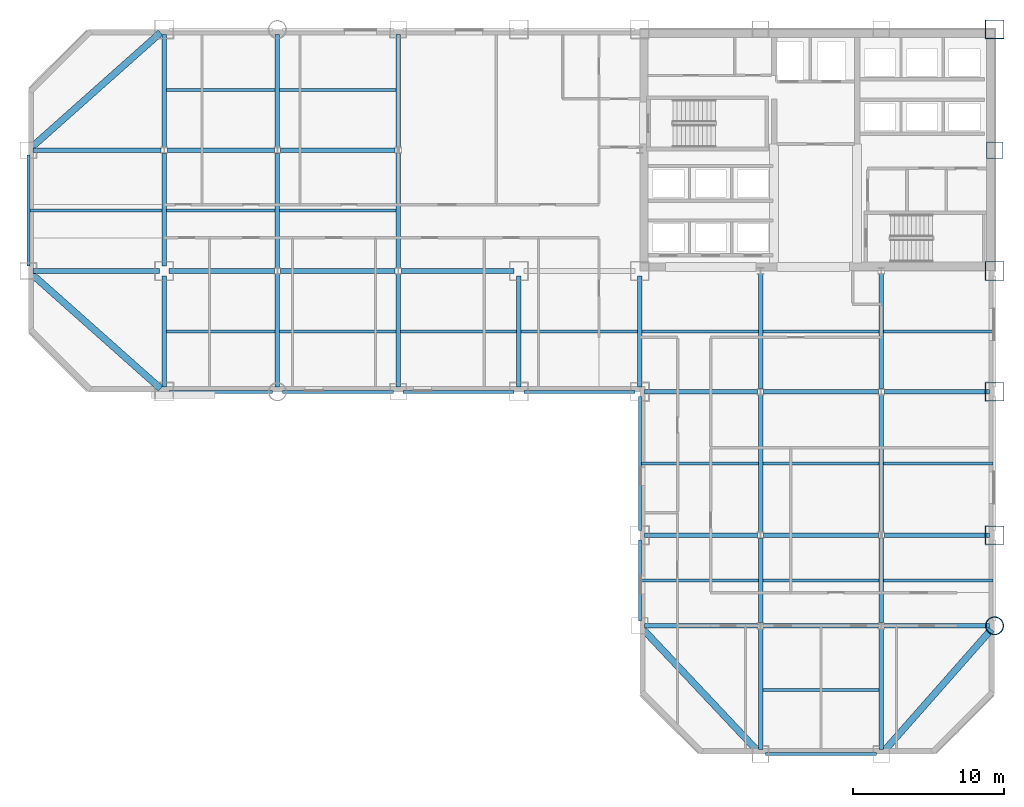
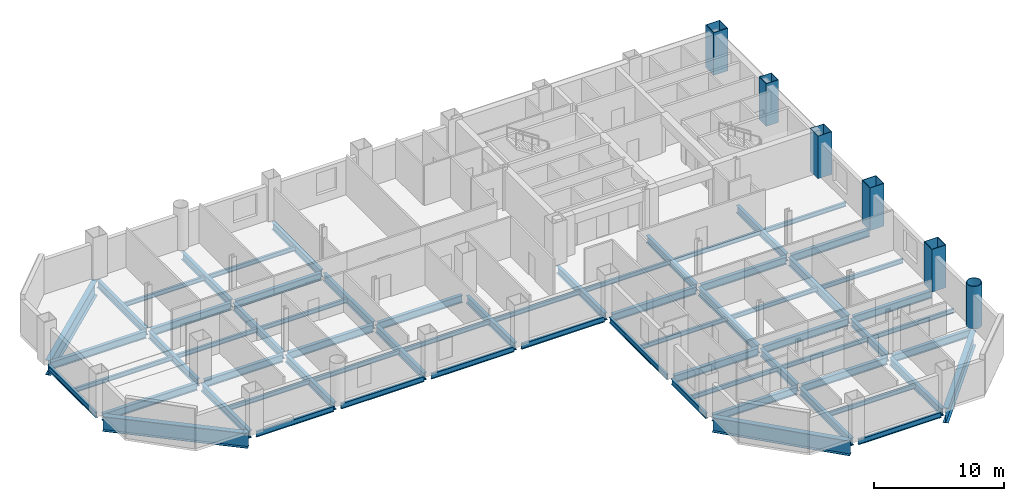
# One storey, part 3 of 9: 66 beams, 6 columns.
"""IFC4 building model written with IfcOpenShell, lengths in metres."""

import ifcopenshell
import ifcopenshell.guid

model = None  # the IFC model being written
_history = None  # IfcOwnerHistory: only IFC2X3 demands one
_inside = {}  # id of a spatial element -> (the spatial element, [elements in it])
_under = {}  # id of a project, library or spatial element -> (it, [spatial elements below it])
_declared = {}  # id of a project -> (the project, [libraries it declares])
_typed = {}  # id of a type object -> (the type object, [elements of that type])
_made_of = {}  # id of a material, layer set ... -> (it, [elements and type objects made of it])


def new_model(schema):
    """Start an empty IFC model of exactly this schema.

    Asked for "IFC4X3", IfcOpenShell would pick the latest addendum, in which some entities
    have other attributes; the version numbers below select the first issue.
    IFC2X3 requires an IfcOwnerHistory on every rooted entity: one is made here for all.
    """
    global model, _history
    if schema == "IFC4X3":
        model = ifcopenshell.file(schema_version=(4, 3, 0, 0))
    else:
        model = ifcopenshell.file(schema=schema)
    _inside.clear()
    _under.clear()
    _declared.clear()
    _typed.clear()
    _made_of.clear()
    _history = None
    if model.schema == "IFC2X3":
        org = make("IfcOrganization", Name="unknown")
        user = make(
            "IfcPersonAndOrganization",
            ThePerson=make("IfcPerson", FamilyName="unknown"),
            TheOrganization=org,
        )
        app = make(
            "IfcApplication",
            ApplicationDeveloper=org,
            Version="unknown",
            ApplicationFullName="unknown",
            ApplicationIdentifier="unknown",
        )
        _history = make(
            "IfcOwnerHistory",
            OwningUser=user,
            OwningApplication=app,
            ChangeAction="ADDED",
            CreationDate=0,
        )
    return model


def make(cls, **values):
    """One entity of the class cls with the attributes given. An attribute that is None is left unset."""
    return model.create_entity(
        cls, **{name: value for name, value in values.items() if value is not None}
    )


def rooted(cls, **values):
    """An entity with a GlobalId (a new one), such as an element, a storey or a relation."""
    return make(cls, GlobalId=ifcopenshell.guid.new(), OwnerHistory=_history, **values)


def si_unit(unit_type, name, prefix=None):
    """IfcSIUnit, for example si_unit("LENGTHUNIT", "METRE", prefix="MILLI")."""
    return make("IfcSIUnit", UnitType=unit_type, Prefix=prefix, Name=name)


def assignment(units):
    """IfcUnitAssignment: the units of a project."""
    return None if units is None else make("IfcUnitAssignment", Units=units)


def point(xyz):
    """IfcCartesianPoint."""
    return None if xyz is None else make("IfcCartesianPoint", Coordinates=xyz)


def direction(xyz):
    """IfcDirection."""
    return None if xyz is None else make("IfcDirection", DirectionRatios=xyz)


def frame(location, z_axis=None, x_axis=None):
    """IfcAxis2Placement3D, a coordinate frame: its origin and axes. An axis left out is left unset."""
    return make(
        "IfcAxis2Placement3D",
        Location=point(location),
        Axis=direction(z_axis),
        RefDirection=direction(x_axis),
    )


def frame_2d(location, x_axis=None):
    """IfcAxis2Placement2D, a coordinate frame in the plane: its origin and x axis."""
    return make(
        "IfcAxis2Placement2D", Location=point(location), RefDirection=direction(x_axis)
    )


def origin():
    """The frame at (0, 0, 0) with its axes left unset."""
    return frame((0.0, 0.0, 0.0))


def origin_2d():
    """The frame at (0, 0) in the plane with its x axis left unset."""
    return frame_2d((0.0, 0.0))


def place(relative_to, where):
    """IfcLocalPlacement: puts the frame where relative to a parent placement (None: the world)."""
    return make(
        "IfcLocalPlacement", PlacementRelTo=relative_to, RelativePlacement=where
    )


def context(
    kind, dimensions, precision=None, world=None, true_north=None, identifier=None
):
    """IfcGeometricRepresentationContext, for example the 3D "Model" context."""
    return make(
        "IfcGeometricRepresentationContext",
        ContextIdentifier=identifier,
        ContextType=kind,
        CoordinateSpaceDimension=dimensions,
        Precision=precision,
        WorldCoordinateSystem=world,
        TrueNorth=true_north,
    )


def subcontext(parent, identifier, kind, view, scale=None):
    """IfcGeometricRepresentationSubContext, for example "Body" below "Model"."""
    return make(
        "IfcGeometricRepresentationSubContext",
        ContextIdentifier=identifier,
        ContextType=kind,
        ParentContext=parent,
        TargetScale=scale,
        TargetView=view,
    )


def project(units=None, contexts=None):
    """IfcProject with its units and contexts."""
    return rooted(
        "IfcProject",
        Name="project",
        RepresentationContexts=contexts,
        UnitsInContext=assignment(units),
    )


def spatial(cls, under=None, at=None, **own):
    """A site, building, storey or space (cls), placed at a placement, below another one or the project."""
    s = rooted(cls, ObjectPlacement=at, **own)
    if under is not None:
        _under.setdefault(under.id(), (under, []))[1].append(s)
    return s


def profile(cls, at=None, kind="AREA", **sizes):
    """A parametric profile (cls). Its sizes go by their IFC names, for example OverallWidth=200.0."""
    return make(cls, ProfileType=kind, Position=at, **sizes)


def hollow_rectangle(**sizes):
    """IfcRectangleHollowProfileDef."""
    return profile("IfcRectangleHollowProfileDef", **sizes)


def hollow_circle(**sizes):
    """IfcCircleHollowProfileDef."""
    return profile("IfcCircleHollowProfileDef", **sizes)


def i_section(**sizes):
    """IfcIShapeProfileDef."""
    return profile("IfcIShapeProfileDef", **sizes)


def extrude(swept, where, along, depth):
    """IfcExtrudedAreaSolid: the profile swept, set in the frame where, extruded along a direction by depth."""
    return make(
        "IfcExtrudedAreaSolid",
        SweptArea=swept,
        Position=where,
        ExtrudedDirection=direction(along),
        Depth=depth,
    )


def shape(context_of_items, identifier, shape_type, items):
    """IfcShapeRepresentation: the items that make up one representation, for example the "Body"."""
    return make(
        "IfcShapeRepresentation",
        ContextOfItems=context_of_items,
        RepresentationIdentifier=identifier,
        RepresentationType=shape_type,
        Items=items,
    )


def material(Name=None, Category=None):
    """IfcMaterial."""
    return make("IfcMaterial", Name=Name, Category=Category)


def material_profile(
    of_material, cross_section, Name=None, Category=None, Priority=None
):
    """IfcMaterialProfile: a cross section and its material."""
    return make(
        "IfcMaterialProfile",
        Name=Name,
        Material=of_material,
        Profile=cross_section,
        Priority=Priority,
        Category=Category,
    )


def profile_set(profiles, Name=None, composite=None):
    """IfcMaterialProfileSet."""
    return make(
        "IfcMaterialProfileSet",
        Name=Name,
        MaterialProfiles=profiles,
        CompositeProfile=composite,
    )


def made_of(thing, what):
    """Note that an element or type object is made of a material, layer set ...; save() writes the relation."""
    if what is not None:
        _made_of.setdefault(what.id(), (what, []))[1].append(thing)
    return thing


def type_object(cls, material=None, **own):
    """A type object (cls), such as IfcWallType, which elements share."""
    return made_of(rooted(cls, **own), material)


def element(
    cls,
    number,
    at=None,
    inside=None,
    cuts=None,
    type_object=None,
    material=None,
    context=None,
    identifier="Body",
    shape_type=None,
    held_by="IfcProductDefinitionShape",
    body=None,
    shapes=None,
    **own,
):
    """One element of the class cls, such as IfcWall. Its Tag is "e" and its number.

    at: its placement. inside: the storey or other place that contains it. cuts: it is an
    opening in that element (IfcRelVoidsElement). A single representation is given by context,
    identifier, shape_type and body (its items); several are given by shapes. held_by: the class
    of the entity that holds the representations. save() writes the other relations.
    """
    e = rooted(cls, Tag="e%d" % number, ObjectPlacement=at, **own)
    if body is not None:
        shapes = [shape(context, identifier, shape_type, body)]
    if shapes is not None:
        e.Representation = make(held_by, Representations=shapes)
    if inside is not None:
        _inside.setdefault(inside.id(), (inside, []))[1].append(e)
    if cuts is not None:
        rooted(
            "IfcRelVoidsElement", RelatingBuildingElement=cuts, RelatedOpeningElement=e
        )
    if type_object is not None:
        _typed.setdefault(type_object.id(), (type_object, []))[1].append(e)
    return made_of(e, material)


def aggregate(whole, parts):
    """IfcRelAggregates: a whole, such as a stair, and the parts it consists of."""
    return rooted("IfcRelAggregates", RelatingObject=whole, RelatedObjects=parts)


def save(model, path):
    """Write the relations noted so far, then the file.

    IfcRelAggregates (storeys below a building ...), IfcRelContainedInSpatialStructure (elements
    in a storey), IfcRelDefinesByType, IfcRelAssociatesMaterial and IfcRelDeclares: one each for
    every whole, place, type object, material and project.
    """
    for whole, parts in _under.values():
        aggregate(whole, parts)
    for where, things in _inside.values():
        rooted(
            "IfcRelContainedInSpatialStructure",
            RelatedElements=things,
            RelatingStructure=where,
        )
    for kind, things in _typed.values():
        rooted("IfcRelDefinesByType", RelatedObjects=things, RelatingType=kind)
    for what, things in _made_of.values():
        rooted("IfcRelAssociatesMaterial", RelatedObjects=things, RelatingMaterial=what)
    for by, libraries in _declared.values():
        rooted("IfcRelDeclares", RelatingContext=by, RelatedDefinitions=libraries)
    model.write(path)


model = new_model("IFC4")

# Units and contexts
model_context = context("Model", 3, precision=1e-05, world=origin(), true_north=direction((0.0, 1.0)))
body_context = subcontext(model_context, "Body", "Model", "MODEL_VIEW")
ifc_project = project(units=[si_unit("LENGTHUNIT", "METRE"), si_unit("AREAUNIT", "SQUARE_METRE"), si_unit("VOLUMEUNIT", "CUBIC_METRE"), si_unit("PLANEANGLEUNIT", "RADIAN"), si_unit("MASSUNIT", "GRAM", prefix="KILO")], contexts=[model_context])

# Site, building, storey
site_placement = place(None, origin())
site = spatial("IfcSite", under=ifc_project, at=site_placement, CompositionType="ELEMENT")
building_placement = place(site_placement, origin())
building = spatial("IfcBuilding", under=site, at=building_placement, Name="Qianrong Seaharbour Tower", CompositionType="ELEMENT")
storey_placement = place(building_placement, frame((0.0, 0.0, 92.199951171875)))
storey = spatial("IfcBuildingStorey", under=building, at=storey_placement, Name="L22", CompositionType="ELEMENT", Elevation=92.199951171875)

# Columns
ifc_material_1 = material(Name="Structural steel SN490B", Category="steel")
ifc_material_profile_1 = material_profile(ifc_material_1, hollow_rectangle(XDim=1.25, YDim=1.25, WallThickness=0.044921875, at=origin_2d()), Name="BOX1250x1250x45")
ifc_profile_set_1 = profile_set([ifc_material_profile_1], Name="Structural steel SN490B")
column_type_1 = type_object("IfcColumnType", Name="COL-CFT-1250", PredefinedType="COLUMN", material=ifc_profile_set_1)
for number, where, z_axis, x_axis, name in (
    (1, (64.0, 18.5, 0.0), (0.0, 0.0, 1.0), (1.0, 0.0, 0.0), "L22 Column MC-2 at G9/GD"),
    (2, (64.0, 28.0, 0.0), (0.0, 0.0, 1.0), (1.0, 0.0, 0.0), "L22 Column MC-2 at G9/GE"),
    (3, (64.0, 36.0, 0.0), (0.0, 0.0, 1.0), (1.0, 0.0, 0.0), "L22 Column MC-2 at G9/GF"),
    (4, (64.0, 52.0, 0.0), (0.0, 0.0, 1.0), (1.0, 0.0, 0.0), "L22 Column MC-2 at G9/GH"),
):
    element("IfcColumn", number, at=place(storey_placement, frame(where, z_axis=z_axis, x_axis=x_axis)), inside=storey, type_object=column_type_1, Name=name, PredefinedType="COLUMN", context=body_context, shape_type="SweptSolid", body=[
        extrude(hollow_rectangle(XDim=1.25, YDim=1.25, WallThickness=0.044921875, at=origin_2d()), origin(), (0.0, 0.0, 1.0), 4.0),
    ])
ifc_material_profile_2 = material_profile(ifc_material_1, hollow_circle(Radius=0.60009765625, WallThickness=0.0400390625, at=origin_2d()), Name="CHS1200x40")
ifc_profile_set_2 = profile_set([ifc_material_profile_2], Name="Structural steel SN490B")
column_type_2 = type_object("IfcColumnType", Name="COL-CHS-1200", PredefinedType="COLUMN", material=ifc_profile_set_2)
column_1_placement = place(storey_placement, frame((64.0, 12.5, 0.0), z_axis=(0.0, 0.0, 1.0), x_axis=(1.0, 0.0, 0.0)))
element("IfcColumn", 5, at=column_1_placement, inside=storey, type_object=column_type_2, Name="L22 Column CC-1 at G9/GC", PredefinedType="COLUMN", context=body_context, shape_type="SweptSolid", body=[
    extrude(hollow_circle(Radius=0.60009765625, WallThickness=0.0400390625, at=origin_2d()), origin(), (0.0, 0.0, 1.0), 4.0),
])
ifc_material_profile_3 = material_profile(ifc_material_1, hollow_rectangle(XDim=1.10009765625, YDim=1.10009765625, WallThickness=0.0400390625, at=origin_2d()), Name="BOX1100x1100x40")
ifc_profile_set_3 = profile_set([ifc_material_profile_3], Name="Structural steel SN490B")
column_type_3 = type_object("IfcColumnType", Name="COL-PER-1100", PredefinedType="COLUMN", material=ifc_profile_set_3)
column_2_placement = place(storey_placement, frame((64.0, 44.0, 0.0), z_axis=(0.0, 0.0, 1.0), x_axis=(1.0, 0.0, 0.0)))
element("IfcColumn", 6, at=column_2_placement, inside=storey, type_object=column_type_3, Name="L22 Column PC-1 at G9/GG", PredefinedType="COLUMN", context=body_context, shape_type="SweptSolid", body=[
    extrude(hollow_rectangle(XDim=1.10009765625, YDim=1.10009765625, WallThickness=0.0400390625, at=origin_2d()), origin(), (0.0, 0.0, 1.0), 4.0),
])

# Beams
ifc_material_profile_4 = material_profile(ifc_material_1, i_section(OverallWidth=0.300048828125, OverallDepth=0.699951171875, WebThickness=0.012939453125, FlangeThickness=0.02392578125, FilletRadius=0.02587890625, at=origin_2d()), Name="H700x300x13x24")
ifc_profile_set_4 = profile_set([ifc_material_profile_4], Name="Structural steel SN490B")
beam_type_1 = type_object("IfcBeamType", Name="BM-G-700", PredefinedType="BEAM", material=ifc_profile_set_4)
beam_1_placement = place(storey_placement, frame((40.820068359375, 12.5, -0.599853515625), z_axis=(1.0, 0.0, 0.0), x_axis=(0.0, 1.0, 0.0)))
element("IfcBeam", 7, at=beam_1_placement, inside=storey, type_object=beam_type_1, Name="L22 Primary Girder GC G6-G7", PredefinedType="BEAM", context=body_context, shape_type="SweptSolid", body=[
    extrude(i_section(OverallWidth=0.300048828125, OverallDepth=0.699951171875, WebThickness=0.012939453125, FlangeThickness=0.02392578125, FilletRadius=0.02587890625, at=origin_2d()), origin(), (0.0, 0.0, 1.0), 7.476318359375),
])
beam_2_placement = place(storey_placement, frame((48.70361328125, 12.5, -0.599853515625), z_axis=(1.0, 0.0, 0.0), x_axis=(0.0, 1.0, 0.0)))
element("IfcBeam", 8, at=beam_2_placement, inside=storey, type_object=beam_type_1, Name="L22 Primary Girder GC G7-G8", PredefinedType="BEAM", context=body_context, shape_type="SweptSolid", body=[
    extrude(i_section(OverallWidth=0.300048828125, OverallDepth=0.699951171875, WebThickness=0.012939453125, FlangeThickness=0.02392578125, FilletRadius=0.02587890625, at=origin_2d()), origin(), (0.0, 0.0, 1.0), 7.5927734375),
])
beam_3_placement = place(storey_placement, frame((56.70361328125, 12.5, -0.599853515625), z_axis=(1.0, 0.0, 0.0), x_axis=(0.0, 1.0, 0.0)))
element("IfcBeam", 9, at=beam_3_placement, inside=storey, type_object=beam_type_1, Name="L22 Primary Girder GC G8-G9", PredefinedType="BEAM", context=body_context, shape_type="SweptSolid", body=[
    extrude(i_section(OverallWidth=0.300048828125, OverallDepth=0.699951171875, WebThickness=0.012939453125, FlangeThickness=0.02392578125, FilletRadius=0.02587890625, at=origin_2d()), origin(), (0.0, 0.0, 1.0), 6.976318359375),
])
beam_4_placement = place(storey_placement, frame((40.820068359375, 18.5, -0.599853515625), z_axis=(1.0, 0.0, 0.0), x_axis=(0.0, 1.0, 0.0)))
element("IfcBeam", 10, at=beam_4_placement, inside=storey, type_object=beam_type_1, Name="L22 Primary Girder GD G6-G7", PredefinedType="BEAM", context=body_context, shape_type="SweptSolid", body=[
    extrude(i_section(OverallWidth=0.300048828125, OverallDepth=0.699951171875, WebThickness=0.012939453125, FlangeThickness=0.02392578125, FilletRadius=0.02587890625, at=origin_2d()), origin(), (0.0, 0.0, 1.0), 7.476318359375),
])
beam_5_placement = place(storey_placement, frame((48.70361328125, 18.5, -0.599853515625), z_axis=(1.0, 0.0, 0.0), x_axis=(0.0, 1.0, 0.0)))
element("IfcBeam", 11, at=beam_5_placement, inside=storey, type_object=beam_type_1, Name="L22 Primary Girder GD G7-G8", PredefinedType="BEAM", context=body_context, shape_type="SweptSolid", body=[
    extrude(i_section(OverallWidth=0.300048828125, OverallDepth=0.699951171875, WebThickness=0.012939453125, FlangeThickness=0.02392578125, FilletRadius=0.02587890625, at=origin_2d()), origin(), (0.0, 0.0, 1.0), 7.5927734375),
])
beam_6_placement = place(storey_placement, frame((56.70361328125, 18.5, -0.599853515625), z_axis=(1.0, 0.0, 0.0), x_axis=(0.0, 1.0, 0.0)))
element("IfcBeam", 12, at=beam_6_placement, inside=storey, type_object=beam_type_1, Name="L22 Primary Girder GD G8-G9", PredefinedType="BEAM", context=body_context, shape_type="SweptSolid", body=[
    extrude(i_section(OverallWidth=0.300048828125, OverallDepth=0.699951171875, WebThickness=0.012939453125, FlangeThickness=0.02392578125, FilletRadius=0.02587890625, at=origin_2d()), origin(), (0.0, 0.0, 1.0), 6.976318359375),
])
beam_7_placement = place(storey_placement, frame((40.820068359375, 28.0, -0.599853515625), z_axis=(1.0, 0.0, 0.0), x_axis=(0.0, 1.0, 0.0)))
element("IfcBeam", 13, at=beam_7_placement, inside=storey, type_object=beam_type_1, Name="L22 Primary Girder GE G6-G7", PredefinedType="BEAM", context=body_context, shape_type="SweptSolid", body=[
    extrude(i_section(OverallWidth=0.300048828125, OverallDepth=0.699951171875, WebThickness=0.012939453125, FlangeThickness=0.02392578125, FilletRadius=0.02587890625, at=origin_2d()), origin(), (0.0, 0.0, 1.0), 7.476318359375),
])
beam_8_placement = place(storey_placement, frame((48.70361328125, 28.0, -0.599853515625), z_axis=(1.0, 0.0, 0.0), x_axis=(0.0, 1.0, 0.0)))
element("IfcBeam", 14, at=beam_8_placement, inside=storey, type_object=beam_type_1, Name="L22 Primary Girder GE G7-G8", PredefinedType="BEAM", context=body_context, shape_type="SweptSolid", body=[
    extrude(i_section(OverallWidth=0.300048828125, OverallDepth=0.699951171875, WebThickness=0.012939453125, FlangeThickness=0.02392578125, FilletRadius=0.02587890625, at=origin_2d()), origin(), (0.0, 0.0, 1.0), 7.5927734375),
])
beam_9_placement = place(storey_placement, frame((56.70361328125, 28.0, -0.599853515625), z_axis=(1.0, 0.0, 0.0), x_axis=(0.0, 1.0, 0.0)))
element("IfcBeam", 15, at=beam_9_placement, inside=storey, type_object=beam_type_1, Name="L22 Primary Girder GE G8-G9", PredefinedType="BEAM", context=body_context, shape_type="SweptSolid", body=[
    extrude(i_section(OverallWidth=0.300048828125, OverallDepth=0.699951171875, WebThickness=0.012939453125, FlangeThickness=0.02392578125, FilletRadius=0.02587890625, at=origin_2d()), origin(), (0.0, 0.0, 1.0), 6.976318359375),
])
beam_10_placement = place(storey_placement, frame((0.320068359375, 36.0, -0.599853515625), z_axis=(1.0, 0.0, 0.0), x_axis=(0.0, 1.0, 0.0)))
element("IfcBeam", 16, at=beam_10_placement, inside=storey, type_object=beam_type_1, Name="L22 Primary Girder GF G1-G2", PredefinedType="BEAM", context=body_context, shape_type="SweptSolid", body=[
    extrude(i_section(OverallWidth=0.300048828125, OverallDepth=0.699951171875, WebThickness=0.012939453125, FlangeThickness=0.02392578125, FilletRadius=0.02587890625, at=origin_2d()), origin(), (0.0, 0.0, 1.0), 8.35986328125),
])
beam_11_placement = place(storey_placement, frame((9.320068359375, 36.0, -0.599853515625), z_axis=(1.0, 0.0, 0.0), x_axis=(0.0, 1.0, 0.0)))
element("IfcBeam", 17, at=beam_11_placement, inside=storey, type_object=beam_type_1, Name="L22 Primary Girder GF G2-G3", PredefinedType="BEAM", context=body_context, shape_type="SweptSolid", body=[
    extrude(i_section(OverallWidth=0.300048828125, OverallDepth=0.699951171875, WebThickness=0.012939453125, FlangeThickness=0.02392578125, FilletRadius=0.02587890625, at=origin_2d()), origin(), (0.0, 0.0, 1.0), 6.976318359375),
])
beam_12_placement = place(storey_placement, frame((16.70361328125, 36.0, -0.599853515625), z_axis=(1.0, 0.0, 0.0), x_axis=(0.0, 1.0, 0.0)))
element("IfcBeam", 18, at=beam_12_placement, inside=storey, type_object=beam_type_1, Name="L22 Primary Girder GF G3-G4", PredefinedType="BEAM", context=body_context, shape_type="SweptSolid", body=[
    extrude(i_section(OverallWidth=0.300048828125, OverallDepth=0.699951171875, WebThickness=0.012939453125, FlangeThickness=0.02392578125, FilletRadius=0.02587890625, at=origin_2d()), origin(), (0.0, 0.0, 1.0), 7.5927734375),
])
beam_13_placement = place(storey_placement, frame((24.70361328125, 36.0, -0.599853515625), z_axis=(1.0, 0.0, 0.0), x_axis=(0.0, 1.0, 0.0)))
element("IfcBeam", 19, at=beam_13_placement, inside=storey, type_object=beam_type_1, Name="L22 Primary Girder GF G4-G5", PredefinedType="BEAM", context=body_context, shape_type="SweptSolid", body=[
    extrude(i_section(OverallWidth=0.300048828125, OverallDepth=0.699951171875, WebThickness=0.012939453125, FlangeThickness=0.02392578125, FilletRadius=0.02587890625, at=origin_2d()), origin(), (0.0, 0.0, 1.0), 7.476318359375),
])
beam_14_placement = place(storey_placement, frame((0.320068359375, 44.0, -0.599853515625), z_axis=(1.0, 0.0, 0.0), x_axis=(0.0, 1.0, 0.0)))
element("IfcBeam", 20, at=beam_14_placement, inside=storey, type_object=beam_type_1, Name="L22 Primary Girder GG G1-G2", PredefinedType="BEAM", context=body_context, shape_type="SweptSolid", body=[
    extrude(i_section(OverallWidth=0.300048828125, OverallDepth=0.699951171875, WebThickness=0.012939453125, FlangeThickness=0.02392578125, FilletRadius=0.02587890625, at=origin_2d()), origin(), (0.0, 0.0, 1.0), 8.476318359375),
])
beam_15_placement = place(storey_placement, frame((9.20361328125, 44.0, -0.599853515625), z_axis=(1.0, 0.0, 0.0), x_axis=(0.0, 1.0, 0.0)))
element("IfcBeam", 21, at=beam_15_placement, inside=storey, type_object=beam_type_1, Name="L22 Primary Girder GG G2-G3", PredefinedType="BEAM", context=body_context, shape_type="SweptSolid", body=[
    extrude(i_section(OverallWidth=0.300048828125, OverallDepth=0.699951171875, WebThickness=0.012939453125, FlangeThickness=0.02392578125, FilletRadius=0.02587890625, at=origin_2d()), origin(), (0.0, 0.0, 1.0), 7.0927734375),
])
beam_16_placement = place(storey_placement, frame((16.70361328125, 44.0, -0.599853515625), z_axis=(1.0, 0.0, 0.0), x_axis=(0.0, 1.0, 0.0)))
element("IfcBeam", 22, at=beam_16_placement, inside=storey, type_object=beam_type_1, Name="L22 Primary Girder GG G3-G4", PredefinedType="BEAM", context=body_context, shape_type="SweptSolid", body=[
    extrude(i_section(OverallWidth=0.300048828125, OverallDepth=0.699951171875, WebThickness=0.012939453125, FlangeThickness=0.02392578125, FilletRadius=0.02587890625, at=origin_2d()), origin(), (0.0, 0.0, 1.0), 7.5927734375),
])
beam_17_placement = place(storey_placement, frame((9.0, 28.320068359375, -0.599853515625), z_axis=(0.0, 1.0, 0.0), x_axis=(-1.0, 0.0, 0.0)))
element("IfcBeam", 23, at=beam_17_placement, inside=storey, type_object=beam_type_1, Name="L22 Primary Girder G2 GE-GF", PredefinedType="BEAM", context=body_context, shape_type="SweptSolid", body=[
    extrude(i_section(OverallWidth=0.300048828125, OverallDepth=0.699951171875, WebThickness=0.012939453125, FlangeThickness=0.02392578125, FilletRadius=0.02587890625, at=origin_2d()), origin(), (0.0, 0.0, 1.0), 7.35986328125),
])
for number, where, z_axis, x_axis, name in (
    (24, (9.0, 36.320068359375, -0.599853515625), (0.0, 1.0, 0.0), (-1.0, 0.0, 0.0), "L22 Primary Girder G2 GF-GG"),
    (25, (9.0, 44.214111328125, -0.599853515625), (0.0, 1.0, 0.0), (-1.0, 0.0, 0.0), "L22 Primary Girder G2 GG-GH"),
    (26, (16.5, 28.320068359375, -0.599853515625), (0.0, 1.0, 0.0), (-1.0, 0.0, 0.0), "L22 Primary Girder G3 GE-GF"),
):
    element("IfcBeam", number, at=place(storey_placement, frame(where, z_axis=z_axis, x_axis=x_axis)), inside=storey, type_object=beam_type_1, Name=name, PredefinedType="BEAM", context=body_context, shape_type="SweptSolid", body=[
        extrude(i_section(OverallWidth=0.300048828125, OverallDepth=0.699951171875, WebThickness=0.012939453125, FlangeThickness=0.02392578125, FilletRadius=0.02587890625, at=origin_2d()), origin(), (0.0, 0.0, 1.0), 7.4658203125),
    ])
beam_18_placement = place(storey_placement, frame((16.5, 36.214111328125, -0.599853515625), z_axis=(0.0, 1.0, 0.0), x_axis=(-1.0, 0.0, 0.0)))
element("IfcBeam", 27, at=beam_18_placement, inside=storey, type_object=beam_type_1, Name="L22 Primary Girder G3 GF-GG", PredefinedType="BEAM", context=body_context, shape_type="SweptSolid", body=[
    extrude(i_section(OverallWidth=0.300048828125, OverallDepth=0.699951171875, WebThickness=0.012939453125, FlangeThickness=0.02392578125, FilletRadius=0.02587890625, at=origin_2d()), origin(), (0.0, 0.0, 1.0), 7.57177734375),
])
for number, where, z_axis, x_axis, name in (
    (28, (16.5, 44.214111328125, -0.599853515625), (0.0, 1.0, 0.0), (-1.0, 0.0, 0.0), "L22 Primary Girder G3 GG-GH"),
    (29, (24.5, 28.320068359375, -0.599853515625), (0.0, 1.0, 0.0), (-1.0, 0.0, 0.0), "L22 Primary Girder G4 GE-GF"),
):
    element("IfcBeam", number, at=place(storey_placement, frame(where, z_axis=z_axis, x_axis=x_axis)), inside=storey, type_object=beam_type_1, Name=name, PredefinedType="BEAM", context=body_context, shape_type="SweptSolid", body=[
        extrude(i_section(OverallWidth=0.300048828125, OverallDepth=0.699951171875, WebThickness=0.012939453125, FlangeThickness=0.02392578125, FilletRadius=0.02587890625, at=origin_2d()), origin(), (0.0, 0.0, 1.0), 7.4658203125),
    ])
beam_19_placement = place(storey_placement, frame((24.5, 36.214111328125, -0.599853515625), z_axis=(0.0, 1.0, 0.0), x_axis=(-1.0, 0.0, 0.0)))
element("IfcBeam", 30, at=beam_19_placement, inside=storey, type_object=beam_type_1, Name="L22 Primary Girder G4 GF-GG", PredefinedType="BEAM", context=body_context, shape_type="SweptSolid", body=[
    extrude(i_section(OverallWidth=0.300048828125, OverallDepth=0.699951171875, WebThickness=0.012939453125, FlangeThickness=0.02392578125, FilletRadius=0.02587890625, at=origin_2d()), origin(), (0.0, 0.0, 1.0), 7.57177734375),
])
beam_20_placement = place(storey_placement, frame((24.5, 44.214111328125, -0.599853515625), z_axis=(0.0, 1.0, 0.0), x_axis=(-1.0, 0.0, 0.0)))
element("IfcBeam", 31, at=beam_20_placement, inside=storey, type_object=beam_type_1, Name="L22 Primary Girder G4 GG-GH", PredefinedType="BEAM", context=body_context, shape_type="SweptSolid", body=[
    extrude(i_section(OverallWidth=0.300048828125, OverallDepth=0.699951171875, WebThickness=0.012939453125, FlangeThickness=0.02392578125, FilletRadius=0.02587890625, at=origin_2d()), origin(), (0.0, 0.0, 1.0), 7.4658203125),
])
for number, where, z_axis, x_axis, name in (
    (32, (32.5, 28.320068359375, -0.599853515625), (0.0, 1.0, 0.0), (-1.0, 0.0, 0.0), "L22 Primary Girder G5 GE-GF"),
    (33, (40.5, 28.320068359375, -0.599853515625), (0.0, 1.0, 0.0), (-1.0, 0.0, 0.0), "L22 Primary Girder G6 GE-GF"),
):
    element("IfcBeam", number, at=place(storey_placement, frame(where, z_axis=z_axis, x_axis=x_axis)), inside=storey, type_object=beam_type_1, Name=name, PredefinedType="BEAM", context=body_context, shape_type="SweptSolid", body=[
        extrude(i_section(OverallWidth=0.300048828125, OverallDepth=0.699951171875, WebThickness=0.012939453125, FlangeThickness=0.02392578125, FilletRadius=0.02587890625, at=origin_2d()), origin(), (0.0, 0.0, 1.0), 7.35986328125),
    ])
beam_21_placement = place(storey_placement, frame((48.5, 4.320068359375, -0.599853515625), z_axis=(0.0, 1.0, 0.0), x_axis=(-1.0, 0.0, 0.0)))
element("IfcBeam", 34, at=beam_21_placement, inside=storey, type_object=beam_type_1, Name="L22 Primary Girder G7 GB-GC", PredefinedType="BEAM", context=body_context, shape_type="SweptSolid", body=[
    extrude(i_section(OverallWidth=0.300048828125, OverallDepth=0.699951171875, WebThickness=0.012939453125, FlangeThickness=0.02392578125, FilletRadius=0.02587890625, at=origin_2d()), origin(), (0.0, 0.0, 1.0), 7.9658203125),
])
beam_22_placement = place(storey_placement, frame((48.5, 12.714111328125, -0.599853515625), z_axis=(0.0, 1.0, 0.0), x_axis=(-1.0, 0.0, 0.0)))
element("IfcBeam", 35, at=beam_22_placement, inside=storey, type_object=beam_type_1, Name="L22 Primary Girder G7 GC-GD", PredefinedType="BEAM", context=body_context, shape_type="SweptSolid", body=[
    extrude(i_section(OverallWidth=0.300048828125, OverallDepth=0.699951171875, WebThickness=0.012939453125, FlangeThickness=0.02392578125, FilletRadius=0.02587890625, at=origin_2d()), origin(), (0.0, 0.0, 1.0), 5.57177734375),
])
beam_23_placement = place(storey_placement, frame((48.5, 28.214111328125, -0.599853515625), z_axis=(0.0, 1.0, 0.0), x_axis=(-1.0, 0.0, 0.0)))
element("IfcBeam", 36, at=beam_23_placement, inside=storey, type_object=beam_type_1, Name="L22 Primary Girder G7 GE-GF", PredefinedType="BEAM", context=body_context, shape_type="SweptSolid", body=[
    extrude(i_section(OverallWidth=0.300048828125, OverallDepth=0.699951171875, WebThickness=0.012939453125, FlangeThickness=0.02392578125, FilletRadius=0.02587890625, at=origin_2d()), origin(), (0.0, 0.0, 1.0), 7.57177734375),
])
beam_24_placement = place(storey_placement, frame((56.5, 4.320068359375, -0.599853515625), z_axis=(0.0, 1.0, 0.0), x_axis=(-1.0, 0.0, 0.0)))
element("IfcBeam", 37, at=beam_24_placement, inside=storey, type_object=beam_type_1, Name="L22 Primary Girder G8 GB-GC", PredefinedType="BEAM", context=body_context, shape_type="SweptSolid", body=[
    extrude(i_section(OverallWidth=0.300048828125, OverallDepth=0.699951171875, WebThickness=0.012939453125, FlangeThickness=0.02392578125, FilletRadius=0.02587890625, at=origin_2d()), origin(), (0.0, 0.0, 1.0), 7.9658203125),
])
beam_25_placement = place(storey_placement, frame((56.5, 12.714111328125, -0.599853515625), z_axis=(0.0, 1.0, 0.0), x_axis=(-1.0, 0.0, 0.0)))
element("IfcBeam", 38, at=beam_25_placement, inside=storey, type_object=beam_type_1, Name="L22 Primary Girder G8 GC-GD", PredefinedType="BEAM", context=body_context, shape_type="SweptSolid", body=[
    extrude(i_section(OverallWidth=0.300048828125, OverallDepth=0.699951171875, WebThickness=0.012939453125, FlangeThickness=0.02392578125, FilletRadius=0.02587890625, at=origin_2d()), origin(), (0.0, 0.0, 1.0), 5.57177734375),
])
beam_26_placement = place(storey_placement, frame((56.5, 28.214111328125, -0.599853515625), z_axis=(0.0, 1.0, 0.0), x_axis=(-1.0, 0.0, 0.0)))
element("IfcBeam", 39, at=beam_26_placement, inside=storey, type_object=beam_type_1, Name="L22 Primary Girder G8 GE-GF", PredefinedType="BEAM", context=body_context, shape_type="SweptSolid", body=[
    extrude(i_section(OverallWidth=0.300048828125, OverallDepth=0.699951171875, WebThickness=0.012939453125, FlangeThickness=0.02392578125, FilletRadius=0.02587890625, at=origin_2d()), origin(), (0.0, 0.0, 1.0), 7.57177734375),
])
ifc_material_profile_5 = material_profile(ifc_material_1, i_section(OverallWidth=0.300048828125, OverallDepth=0.800048828125, WebThickness=0.013916015625, FlangeThickness=0.02587890625, FilletRadius=0.028076171875, at=origin_2d()), Name="H800x300x14x26")
ifc_profile_set_5 = profile_set([ifc_material_profile_5], Name="Structural steel SN490B")
beam_type_2 = type_object("IfcBeamType", Name="BM-G-800", PredefinedType="BEAM", material=ifc_profile_set_5)
for number, where, z_axis, x_axis, name in (
    (40, (48.5, 18.714111328125, -0.64990234375), (0.0, 1.0, 0.0), (-1.0, 0.0, 0.0), "L22 Primary Girder G7 GD-GE"),
    (41, (56.5, 18.714111328125, -0.64990234375), (0.0, 1.0, 0.0), (-1.0, 0.0, 0.0), "L22 Primary Girder G8 GD-GE"),
):
    element("IfcBeam", number, at=place(storey_placement, frame(where, z_axis=z_axis, x_axis=x_axis)), inside=storey, type_object=beam_type_2, Name=name, PredefinedType="BEAM", context=body_context, shape_type="SweptSolid", body=[
        extrude(i_section(OverallWidth=0.300048828125, OverallDepth=0.800048828125, WebThickness=0.013916015625, FlangeThickness=0.02587890625, FilletRadius=0.028076171875, at=origin_2d()), origin(), (0.0, 0.0, 1.0), 9.07177734375),
    ])
ifc_material_2 = material(Name="Structural steel SN400B", Category="steel")
ifc_material_profile_6 = material_profile(ifc_material_2, i_section(OverallWidth=0.199951171875, OverallDepth=0.39990234375, WebThickness=0.008056640625, FlangeThickness=0.012939453125, FilletRadius=0.01611328125, at=origin_2d()), Name="H400x200x8x13")
ifc_profile_set_6 = profile_set([ifc_material_profile_6], Name="Structural steel SN400B")
beam_type_3 = type_object("IfcBeamType", Name="BM-J-400", PredefinedType="JOIST", material=ifc_profile_set_6)
beam_27_placement = place(storey_placement, frame((0.10009765625, 40.0, -0.449951171875), z_axis=(1.0, 0.0, 0.0), x_axis=(0.0, 1.0, 0.0)))
element("IfcBeam", 42, at=beam_27_placement, inside=storey, type_object=beam_type_3, Name="L22 Composite Floor Joist G1-G2/GF-GG", PredefinedType="JOIST", context=body_context, shape_type="SweptSolid", body=[
    extrude(i_section(OverallWidth=0.199951171875, OverallDepth=0.39990234375, WebThickness=0.008056640625, FlangeThickness=0.012939453125, FilletRadius=0.01611328125, at=origin_2d()), origin(), (0.0, 0.0, 1.0), 8.75),
])
for number, where, z_axis, x_axis, name in (
    (43, (9.14990234375, 32.0, -0.449951171875), (1.0, 0.0, 0.0), (0.0, 1.0, 0.0), "L22 Composite Floor Joist G2-G3/GE-GF"),
    (44, (9.14990234375, 40.0, -0.449951171875), (1.0, 0.0, 0.0), (0.0, 1.0, 0.0), "L22 Composite Floor Joist G2-G3/GF-GG"),
    (45, (9.14990234375, 48.0, -0.449951171875), (1.0, 0.0, 0.0), (0.0, 1.0, 0.0), "L22 Composite Floor Joist G2-G3/GG-GH"),
):
    element("IfcBeam", number, at=place(storey_placement, frame(where, z_axis=z_axis, x_axis=x_axis)), inside=storey, type_object=beam_type_3, Name=name, PredefinedType="JOIST", context=body_context, shape_type="SweptSolid", body=[
        extrude(i_section(OverallWidth=0.199951171875, OverallDepth=0.39990234375, WebThickness=0.008056640625, FlangeThickness=0.012939453125, FilletRadius=0.01611328125, at=origin_2d()), origin(), (0.0, 0.0, 1.0), 7.2001953125),
    ])
for number, where, z_axis, x_axis, name in (
    (46, (16.64990234375, 32.0, -0.449951171875), (1.0, 0.0, 0.0), (0.0, 1.0, 0.0), "L22 Composite Floor Joist G3-G4/GE-GF"),
    (47, (16.64990234375, 40.0, -0.449951171875), (1.0, 0.0, 0.0), (0.0, 1.0, 0.0), "L22 Composite Floor Joist G3-G4/GF-GG"),
    (48, (16.64990234375, 48.0, -0.449951171875), (1.0, 0.0, 0.0), (0.0, 1.0, 0.0), "L22 Composite Floor Joist G3-G4/GG-GH"),
    (49, (24.64990234375, 32.0, -0.449951171875), (1.0, 0.0, 0.0), (0.0, 1.0, 0.0), "L22 Composite Floor Joist G4-G5/GE-GF"),
    (50, (32.64990234375, 32.0, -0.449951171875), (1.0, 0.0, 0.0), (0.0, 1.0, 0.0), "L22 Composite Floor Joist G5-G6/GE-GF"),
):
    element("IfcBeam", number, at=place(storey_placement, frame(where, z_axis=z_axis, x_axis=x_axis)), inside=storey, type_object=beam_type_3, Name=name, PredefinedType="JOIST", context=body_context, shape_type="SweptSolid", body=[
        extrude(i_section(OverallWidth=0.199951171875, OverallDepth=0.39990234375, WebThickness=0.008056640625, FlangeThickness=0.012939453125, FilletRadius=0.01611328125, at=origin_2d()), origin(), (0.0, 0.0, 1.0), 7.7001953125),
    ])
for number, where, z_axis, x_axis, name in (
    (51, (40.60009765625, 15.5, -0.449951171875), (1.0, 0.0, 0.0), (0.0, 1.0, 0.0), "L22 Composite Floor Joist G6-G7/GC-GD"),
    (52, (40.60009765625, 23.25, -0.449951171875), (1.0, 0.0, 0.0), (0.0, 1.0, 0.0), "L22 Composite Floor Joist G6-G7/GD-GE"),
):
    element("IfcBeam", number, at=place(storey_placement, frame(where, z_axis=z_axis, x_axis=x_axis)), inside=storey, type_object=beam_type_3, Name=name, PredefinedType="JOIST", context=body_context, shape_type="SweptSolid", body=[
        extrude(i_section(OverallWidth=0.199951171875, OverallDepth=0.39990234375, WebThickness=0.008056640625, FlangeThickness=0.012939453125, FilletRadius=0.01611328125, at=origin_2d()), origin(), (0.0, 0.0, 1.0), 7.75),
    ])
for number, where, z_axis, x_axis, name in (
    (53, (40.64990234375, 32.0, -0.449951171875), (1.0, 0.0, 0.0), (0.0, 1.0, 0.0), "L22 Composite Floor Joist G6-G7/GE-GF"),
    (54, (48.64990234375, 8.25, -0.449951171875), (1.0, 0.0, 0.0), (0.0, 1.0, 0.0), "L22 Composite Floor Joist G7-G8/GB-GC"),
    (55, (48.64990234375, 15.5, -0.449951171875), (1.0, 0.0, 0.0), (0.0, 1.0, 0.0), "L22 Composite Floor Joist G7-G8/GC-GD"),
    (56, (48.64990234375, 23.25, -0.449951171875), (1.0, 0.0, 0.0), (0.0, 1.0, 0.0), "L22 Composite Floor Joist G7-G8/GD-GE"),
    (57, (48.64990234375, 32.0, -0.449951171875), (1.0, 0.0, 0.0), (0.0, 1.0, 0.0), "L22 Composite Floor Joist G7-G8/GE-GF"),
):
    element("IfcBeam", number, at=place(storey_placement, frame(where, z_axis=z_axis, x_axis=x_axis)), inside=storey, type_object=beam_type_3, Name=name, PredefinedType="JOIST", context=body_context, shape_type="SweptSolid", body=[
        extrude(i_section(OverallWidth=0.199951171875, OverallDepth=0.39990234375, WebThickness=0.008056640625, FlangeThickness=0.012939453125, FilletRadius=0.01611328125, at=origin_2d()), origin(), (0.0, 0.0, 1.0), 7.7001953125),
    ])
for number, where, z_axis, x_axis, name in (
    (58, (56.64990234375, 15.5, -0.449951171875), (1.0, 0.0, 0.0), (0.0, 1.0, 0.0), "L22 Composite Floor Joist G8-G9/GC-GD"),
    (59, (56.64990234375, 23.25, -0.449951171875), (1.0, 0.0, 0.0), (0.0, 1.0, 0.0), "L22 Composite Floor Joist G8-G9/GD-GE"),
    (60, (56.64990234375, 32.0, -0.449951171875), (1.0, 0.0, 0.0), (0.0, 1.0, 0.0), "L22 Composite Floor Joist G8-G9/GE-GF"),
):
    element("IfcBeam", number, at=place(storey_placement, frame(where, z_axis=z_axis, x_axis=x_axis)), inside=storey, type_object=beam_type_3, Name=name, PredefinedType="JOIST", context=body_context, shape_type="SweptSolid", body=[
        extrude(i_section(OverallWidth=0.199951171875, OverallDepth=0.39990234375, WebThickness=0.008056640625, FlangeThickness=0.012939453125, FilletRadius=0.01611328125, at=origin_2d()), origin(), (0.0, 0.0, 1.0), 7.25),
    ])
ifc_material_profile_7 = material_profile(ifc_material_1, i_section(OverallWidth=0.199951171875, OverallDepth=0.5, WebThickness=0.010009765625, FlangeThickness=0.01611328125, FilletRadius=0.02001953125, at=origin_2d()), Name="H500x200x10x16")
ifc_profile_set_7 = profile_set([ifc_material_profile_7], Name="Structural steel SN490B")
beam_type_4 = type_object("IfcBeamType", Name="BM-SP-500", PredefinedType="SPANDREL", material=ifc_profile_set_7)
beam_28_placement = place(storey_placement, frame((48.820068359375, 4.0, -0.5), z_axis=(1.0, 0.0, 0.0), x_axis=(0.0, 1.0, 0.0)))
element("IfcBeam", 61, at=beam_28_placement, inside=storey, type_object=beam_type_4, Name="L22 Spandrel Girder GB G7-G8", PredefinedType="SPANDREL", context=body_context, shape_type="SweptSolid", body=[
    extrude(i_section(OverallWidth=0.199951171875, OverallDepth=0.5, WebThickness=0.010009765625, FlangeThickness=0.01611328125, FilletRadius=0.02001953125, at=origin_2d()), origin(), (0.0, 0.0, 1.0), 7.35986328125),
])
beam_29_placement = place(storey_placement, frame((9.320068359375, 28.0, -0.5), z_axis=(1.0, 0.0, 0.0), x_axis=(0.0, 1.0, 0.0)))
element("IfcBeam", 62, at=beam_29_placement, inside=storey, type_object=beam_type_4, Name="L22 Spandrel Girder GE G2-G3", PredefinedType="SPANDREL", context=body_context, shape_type="SweptSolid", body=[
    extrude(i_section(OverallWidth=0.199951171875, OverallDepth=0.5, WebThickness=0.010009765625, FlangeThickness=0.01611328125, FilletRadius=0.02001953125, at=origin_2d()), origin(), (0.0, 0.0, 1.0), 6.85986328125),
])
for number, where, z_axis, x_axis, name in (
    (63, (16.820068359375, 28.0, -0.5), (1.0, 0.0, 0.0), (0.0, 1.0, 0.0), "L22 Spandrel Girder GE G3-G4"),
    (64, (24.820068359375, 28.0, -0.5), (1.0, 0.0, 0.0), (0.0, 1.0, 0.0), "L22 Spandrel Girder GE G4-G5"),
    (65, (32.820068359375, 28.0, -0.5), (1.0, 0.0, 0.0), (0.0, 1.0, 0.0), "L22 Spandrel Girder GE G5-G6"),
    (66, (0.0, 36.320068359375, -0.5), (0.0, 1.0, 0.0), (-1.0, 0.0, 0.0), "L22 Spandrel Girder G1 GF-GG"),
):
    element("IfcBeam", number, at=place(storey_placement, frame(where, z_axis=z_axis, x_axis=x_axis)), inside=storey, type_object=beam_type_4, Name=name, PredefinedType="SPANDREL", context=body_context, shape_type="SweptSolid", body=[
        extrude(i_section(OverallWidth=0.199951171875, OverallDepth=0.5, WebThickness=0.010009765625, FlangeThickness=0.01611328125, FilletRadius=0.02001953125, at=origin_2d()), origin(), (0.0, 0.0, 1.0), 7.35986328125),
    ])
beam_30_placement = place(storey_placement, frame((40.5, 12.820068359375, -0.5), z_axis=(0.0, 1.0, 0.0), x_axis=(-1.0, 0.0, 0.0)))
element("IfcBeam", 67, at=beam_30_placement, inside=storey, type_object=beam_type_4, Name="L22 Spandrel Girder G6 GC-GD", PredefinedType="SPANDREL", context=body_context, shape_type="SweptSolid", body=[
    extrude(i_section(OverallWidth=0.199951171875, OverallDepth=0.5, WebThickness=0.010009765625, FlangeThickness=0.01611328125, FilletRadius=0.02001953125, at=origin_2d()), origin(), (0.0, 0.0, 1.0), 5.35986328125),
])
beam_31_placement = place(storey_placement, frame((40.5, 18.820068359375, -0.5), z_axis=(0.0, 1.0, 0.0), x_axis=(-1.0, 0.0, 0.0)))
element("IfcBeam", 68, at=beam_31_placement, inside=storey, type_object=beam_type_4, Name="L22 Spandrel Girder G6 GD-GE", PredefinedType="SPANDREL", context=body_context, shape_type="SweptSolid", body=[
    extrude(i_section(OverallWidth=0.199951171875, OverallDepth=0.5, WebThickness=0.010009765625, FlangeThickness=0.01611328125, FilletRadius=0.02001953125, at=origin_2d()), origin(), (0.0, 0.0, 1.0), 8.85986328125),
])
ifc_material_profile_8 = material_profile(ifc_material_1, i_section(OverallWidth=0.449951171875, OverallDepth=1.39990234375, WebThickness=0.02197265625, FlangeThickness=0.0400390625, at=origin_2d()), Name="BH1400x450x22x40")
ifc_profile_set_8 = profile_set([ifc_material_profile_8], Name="Structural steel SN490B")
beam_type_5 = type_object("IfcBeamType", Name="BM-TG-1400", PredefinedType="BEAM", material=ifc_profile_set_8)
for number, where, z_axis, x_axis, name in (
    (69, (8.7607421875, 28.212646484375, -0.949951171875), (-0.747406955841, 0.664366497018, 0.0), (-0.664366497018, -0.747406955841, 0.0), "L22 Chamfer Corner Spandrel Girder G1/GE"),
    (70, (8.7607421875, 51.787353515625, -0.949951171875), (-0.747406955841, -0.664366497018, 0.0), (0.664366497018, -0.747406955841, 0.0), "L22 Chamfer Corner Spandrel Girder G1/GH"),
):
    element("IfcBeam", number, at=place(storey_placement, frame(where, z_axis=z_axis, x_axis=x_axis)), inside=storey, type_object=beam_type_5, Name=name, PredefinedType="BEAM", context=body_context, shape_type="SweptSolid", body=[
        extrude(i_section(OverallWidth=0.449951171875, OverallDepth=1.39990234375, WebThickness=0.02197265625, FlangeThickness=0.0400390625, at=origin_2d()), origin(), (0.0, 0.0, 1.0), 11.4013671875),
    ])
beam_32_placement = place(storey_placement, frame((48.28076171875, 4.23291015625, -0.949951171875), z_axis=(-0.685361938021, 0.728202591256, 0.0), x_axis=(-0.728202591256, -0.685361938021, 0.0)))
element("IfcBeam", 71, at=beam_32_placement, inside=storey, type_object=beam_type_5, Name="L22 Chamfer Corner Spandrel Girder G6/GB", PredefinedType="BEAM", context=body_context, shape_type="SweptSolid", body=[
    extrude(i_section(OverallWidth=0.449951171875, OverallDepth=1.39990234375, WebThickness=0.02197265625, FlangeThickness=0.0400390625, at=origin_2d()), origin(), (0.0, 0.0, 1.0), 11.032958984375),
])
beam_33_placement = place(storey_placement, frame((56.711669921875, 4.239990234375, -0.949951171875), z_axis=(0.661630696334, 0.749829861815, 0.0), x_axis=(-0.749829861815, 0.661630696334, 0.0)))
element("IfcBeam", 72, at=beam_33_placement, inside=storey, type_object=beam_type_5, Name="L22 Chamfer Corner Spandrel Girder G9/GB", PredefinedType="BEAM", context=body_context, shape_type="SweptSolid", body=[
    extrude(i_section(OverallWidth=0.449951171875, OverallDepth=1.39990234375, WebThickness=0.02197265625, FlangeThickness=0.0400390625, at=origin_2d()), origin(), (0.0, 0.0, 1.0), 10.69580078125),
])

save(model, "model.ifc")
